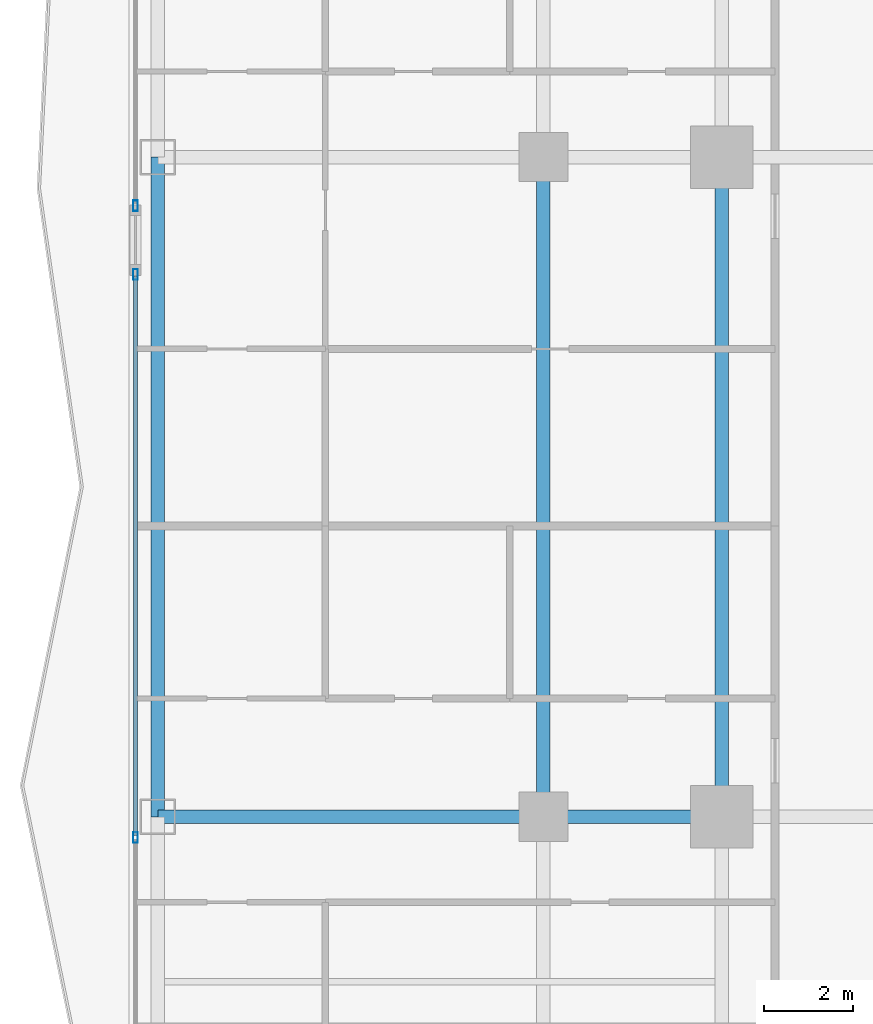
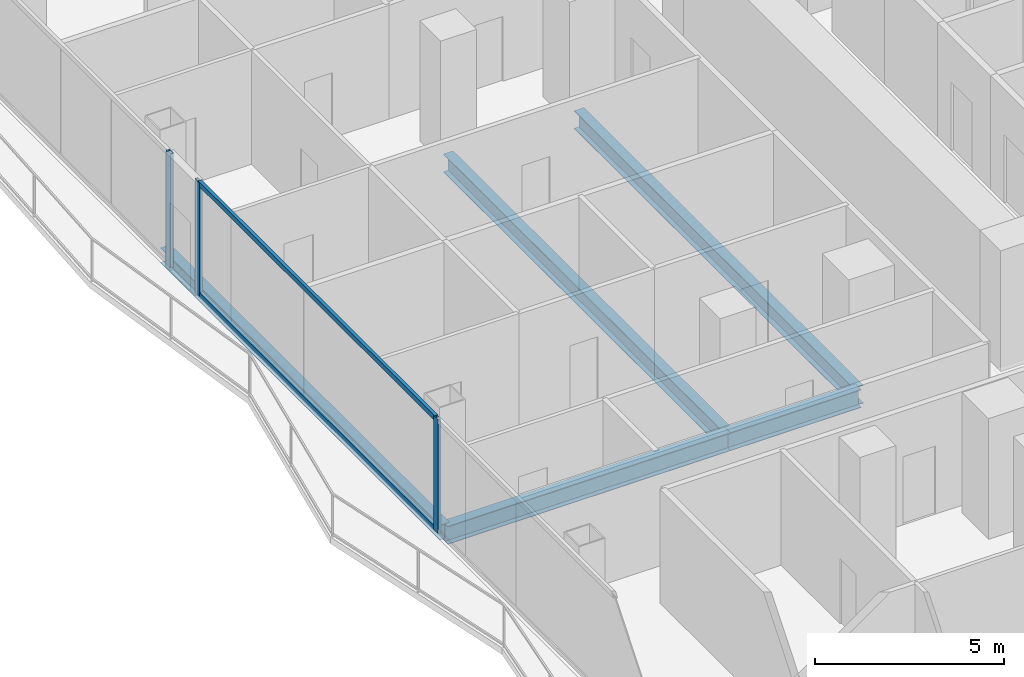
# One storey, part 6 of 29: 5 beams, 5 members, 2 elements without a shape of their own.
"""IFC4 building model written with IfcOpenShell, lengths in metres."""

from ifc_helpers import new_model, si_unit, direction, frame, origin, origin_2d, place, context, subcontext, project, spatial, hollow_rectangle, i_section, extrude, material, layer, layer_set, material_profile, profile_set, type_object, element, aggregate, save


model = new_model("IFC4")

# Units and contexts
model_context = context("Model", 3, precision=1e-05, world=origin(), true_north=direction((0.0, 1.0)))
body_context = subcontext(model_context, "Body", "Model", "MODEL_VIEW")
ifc_project = project(units=[si_unit("LENGTHUNIT", "METRE"), si_unit("AREAUNIT", "SQUARE_METRE"), si_unit("VOLUMEUNIT", "CUBIC_METRE"), si_unit("PLANEANGLEUNIT", "RADIAN"), si_unit("MASSUNIT", "GRAM", prefix="KILO")], contexts=[model_context])

# Site, building, storey
site_placement = place(None, origin())
site = spatial("IfcSite", under=ifc_project, at=site_placement, CompositionType="ELEMENT")
building_placement = place(site_placement, origin())
building = spatial("IfcBuilding", under=site, at=building_placement, Name="Khorvyn Point Tower", CompositionType="ELEMENT")
storey_placement = place(building_placement, frame((0.0, 0.0, 69.60009765625)))
storey = spatial("IfcBuildingStorey", under=building, at=storey_placement, Name="L18", CompositionType="ELEMENT", Elevation=69.60009765625)

# Curtain wall, members
ifc_material_1 = material(Name="Anodised aluminium 6063-T6 and laminated Low-E glass", Category="aluminium")
ifc_layer = layer(ifc_material_1, 0.18994140625)
ifc_layer_set = layer_set([ifc_layer], Name="Stick-Built Finned Residential Curtain Wall CW-SYS-02")
curtain_wall_type = type_object("IfcCurtainWallType", Name="Stick-Built Finned Residential Curtain Wall CW-SYS-02", PredefinedType="NOTDEFINED", material=ifc_layer_set)
curtain_wall_1_placement = place(storey_placement, origin())
curtain_wall_1 = element("IfcCurtainWall", 1, at=curtain_wall_1_placement, inside=storey, type_object=curtain_wall_type, Name="Curtain Wall", PredefinedType="NOTDEFINED")
ifc_material_2 = material(Name="Anodised aluminium 6063-T6", Category="aluminium")
ifc_material_profile_1 = material_profile(ifc_material_2, hollow_rectangle(XDim=0.10009765625, YDim=0.239990234375, WallThickness=0.0048828125, at=origin_2d()))
ifc_profile_set_1 = profile_set([ifc_material_profile_1], Name="Anodised aluminium 6063-T6 ALU-MUL-100x240")
member_type_1 = type_object("IfcMemberType", Name="Anodised Aluminium 6063-T6 Mullion ALU-MUL-100x240", PredefinedType="MULLION", material=ifc_profile_set_1)
member_1_placement = place(storey_placement, frame((-27.949951171875, -7.865478515625, 0.0), z_axis=(0.0, 0.0, 1.0), x_axis=(-1.0, 0.0, 0.0)))
member_1 = element("IfcMember", 2, at=member_1_placement, type_object=member_type_1, Name="Transom", PredefinedType="MULLION", context=body_context, shape_type="SweptSolid", body=[
    extrude(hollow_rectangle(XDim=0.10009765625, YDim=0.239990234375, WallThickness=0.0048828125, at=origin_2d()), origin(), (0.0, 0.0, 1.0), 3.679931640625),
])
member_2_placement = place(storey_placement, frame((-27.949951171875, 4.76904296875, 0.0), z_axis=(0.0, 0.0, 1.0), x_axis=(-1.0, 0.0, 0.0)))
member_2 = element("IfcMember", 3, at=member_2_placement, type_object=member_type_1, Name="Transom", PredefinedType="MULLION", context=body_context, shape_type="SweptSolid", body=[
    extrude(hollow_rectangle(XDim=0.10009765625, YDim=0.239990234375, WallThickness=0.0048828125, at=origin_2d()), origin(), (0.0, 0.0, 1.0), 3.679931640625),
])

# Curtain wall, member
curtain_wall_2_placement = place(storey_placement, origin())
curtain_wall_2 = element("IfcCurtainWall", 4, at=curtain_wall_2_placement, inside=storey, type_object=curtain_wall_type, Name="Curtain Wall", PredefinedType="NOTDEFINED")
member_3_placement = place(storey_placement, frame((-27.949951171875, 6.30908203125, 0.0), z_axis=(0.0, 0.0, 1.0), x_axis=(-1.0, 0.0, 0.0)))
member_3 = element("IfcMember", 5, at=member_3_placement, type_object=member_type_1, Name="Transom", PredefinedType="MULLION", context=body_context, shape_type="SweptSolid", body=[
    extrude(hollow_rectangle(XDim=0.10009765625, YDim=0.239990234375, WallThickness=0.0048828125, at=origin_2d()), origin(), (0.0, 0.0, 1.0), 3.679931640625),
])
aggregate(curtain_wall_2, [member_3])

# Member
ifc_material_profile_2 = material_profile(ifc_material_2, hollow_rectangle(XDim=0.10009765625, YDim=0.159912109375, WallThickness=0.00439453125, at=origin_2d()))
ifc_profile_set_2 = profile_set([ifc_material_profile_2], Name="Anodised aluminium 6063-T6 ALU-TRN-100x160")
member_type_2 = type_object("IfcMemberType", Name="Anodised Aluminium 6063-T6 Transom ALU-TRN-100x160", PredefinedType="USERDEFINED", material=ifc_profile_set_2)
member_4_placement = place(storey_placement, frame((-27.949951171875, -7.8154296875, 0.0498046875), z_axis=(0.0, 1.0, 0.0), x_axis=(-1.0, 0.0, 0.0)))
member_4 = element("IfcMember", 6, at=member_4_placement, type_object=member_type_2, Name="Transom", ObjectType="TRANSOM", PredefinedType="USERDEFINED", context=body_context, shape_type="SweptSolid", body=[
    extrude(hollow_rectangle(XDim=0.10009765625, YDim=0.159912109375, WallThickness=0.00439453125, at=origin_2d()), origin(), (0.0, 0.0, 1.0), 12.534423828125),
])

member_5_placement = place(storey_placement, frame((-27.949951171875, -7.8154296875, 3.6298828125), z_axis=(0.0, 1.0, 0.0), x_axis=(-1.0, 0.0, 0.0)))
member_5 = element("IfcMember", 7, at=member_5_placement, type_object=member_type_2, Name="Transom", ObjectType="TRANSOM", PredefinedType="USERDEFINED", context=body_context, shape_type="SweptSolid", body=[
    extrude(hollow_rectangle(XDim=0.10009765625, YDim=0.159912109375, WallThickness=0.00439453125, at=origin_2d()), origin(), (0.0, 0.0, 1.0), 12.534423828125),
])

aggregate(curtain_wall_1, [member_1, member_2, member_4, member_5])

# Beams
ifc_material_3 = material(Name="Steel S355", Category="steel")
ifc_material_profile_3 = material_profile(ifc_material_3, i_section(OverallWidth=0.300048828125, OverallDepth=0.587890625, WebThickness=0.011962890625, FlangeThickness=0.02001953125, at=origin_2d()))
ifc_profile_set_3 = profile_set([ifc_material_profile_3], Name="Steel S355 H588x300x12x20")
beam_type_1 = type_object("IfcBeamType", Name="Steel S355 Beam H588x300x12x20", PredefinedType="BEAM", material=ifc_profile_set_3)
beam_1_placement = place(storey_placement, frame((-27.449951171875, -7.39990234375, -0.51416015625), z_axis=(1.0, 0.0, 0.0), x_axis=(0.0, 1.0, 0.0)))
element("IfcBeam", 8, at=beam_1_placement, inside=storey, type_object=beam_type_1, Name="Beam", PredefinedType="BEAM", context=body_context, shape_type="SweptSolid", body=[
    extrude(i_section(OverallWidth=0.300048828125, OverallDepth=0.587890625, WebThickness=0.011962890625, FlangeThickness=0.02001953125, at=origin_2d()), origin(), (0.0, 0.0, 1.0), 8.64990234375),
])
beam_2_placement = place(storey_placement, frame((-18.800048828125, -7.39990234375, -0.51416015625), z_axis=(1.0, 0.0, 0.0), x_axis=(0.0, 1.0, 0.0)))
element("IfcBeam", 9, at=beam_2_placement, inside=storey, type_object=beam_type_1, Name="Beam", PredefinedType="BEAM", context=body_context, shape_type="SweptSolid", body=[
    extrude(i_section(OverallWidth=0.300048828125, OverallDepth=0.587890625, WebThickness=0.011962890625, FlangeThickness=0.02001953125, at=origin_2d()), origin(), (0.0, 0.0, 1.0), 4.0),
])
for number, where, z_axis, x_axis, name in (
    (10, (-14.800048828125, -7.39990234375, -0.51416015625), (0.0, 1.0, 0.0), (-1.0, 0.0, 0.0), "Beam"),
    (11, (-18.800048828125, -7.39990234375, -0.51416015625), (0.0, 1.0, 0.0), (-1.0, 0.0, 0.0), "Beam"),
):
    element("IfcBeam", number, at=place(storey_placement, frame(where, z_axis=z_axis, x_axis=x_axis)), inside=storey, type_object=beam_type_1, Name=name, PredefinedType="BEAM", context=body_context, shape_type="SweptSolid", body=[
        extrude(i_section(OverallWidth=0.300048828125, OverallDepth=0.587890625, WebThickness=0.011962890625, FlangeThickness=0.02001953125, at=origin_2d()), origin(), (0.0, 0.0, 1.0), 14.7998046875),
    ])
ifc_material_profile_4 = material_profile(ifc_material_3, i_section(OverallWidth=0.300048828125, OverallDepth=0.488037109375, WebThickness=0.010986328125, FlangeThickness=0.01806640625, at=origin_2d()))
ifc_profile_set_4 = profile_set([ifc_material_profile_4], Name="Steel S355 H488x300x11x18")
beam_type_2 = type_object("IfcBeamType", Name="Steel S355 Spandrel H488x300x11x18", PredefinedType="SPANDREL", material=ifc_profile_set_4)
beam_3_placement = place(storey_placement, frame((-27.449951171875, -7.39990234375, -0.464111328125), z_axis=(0.0, 1.0, 0.0), x_axis=(-1.0, 0.0, 0.0)))
element("IfcBeam", 12, at=beam_3_placement, inside=storey, type_object=beam_type_2, Name="Beam", PredefinedType="SPANDREL", context=body_context, shape_type="SweptSolid", body=[
    extrude(i_section(OverallWidth=0.300048828125, OverallDepth=0.488037109375, WebThickness=0.010986328125, FlangeThickness=0.01806640625, at=origin_2d()), origin(), (0.0, 0.0, 1.0), 14.7998046875),
])

save(model, "model.ifc")
